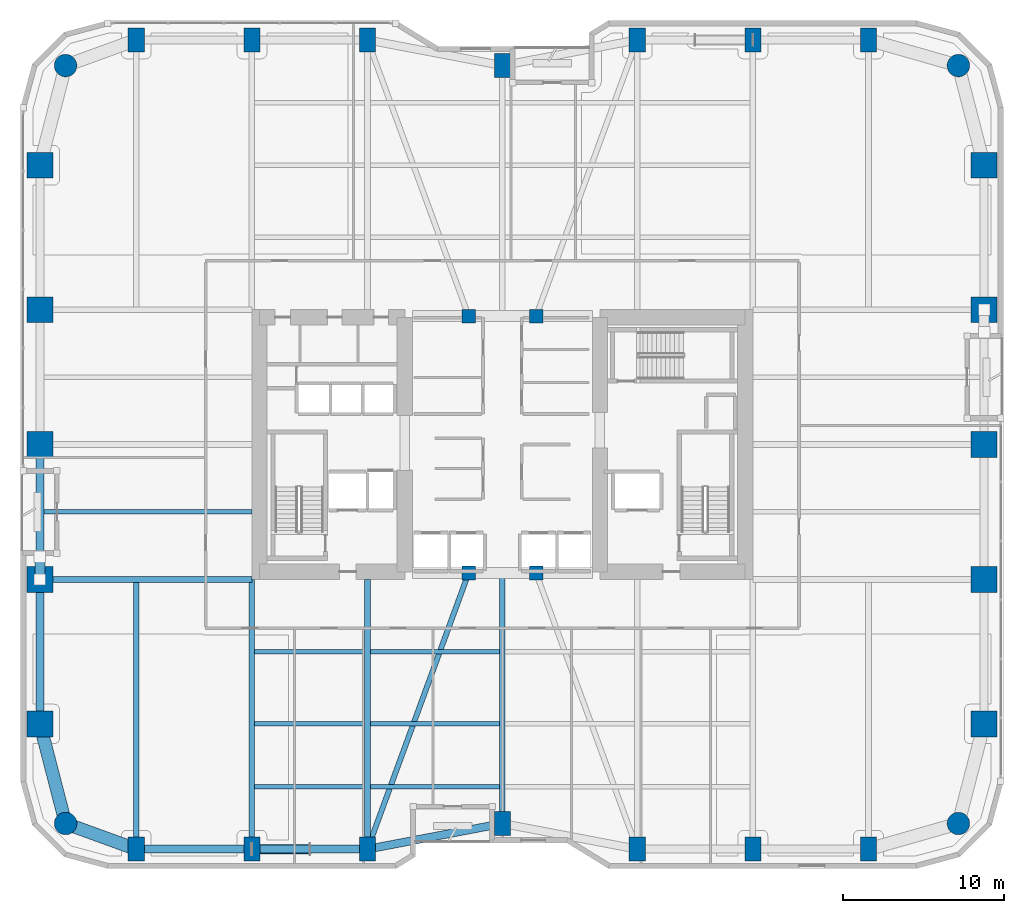
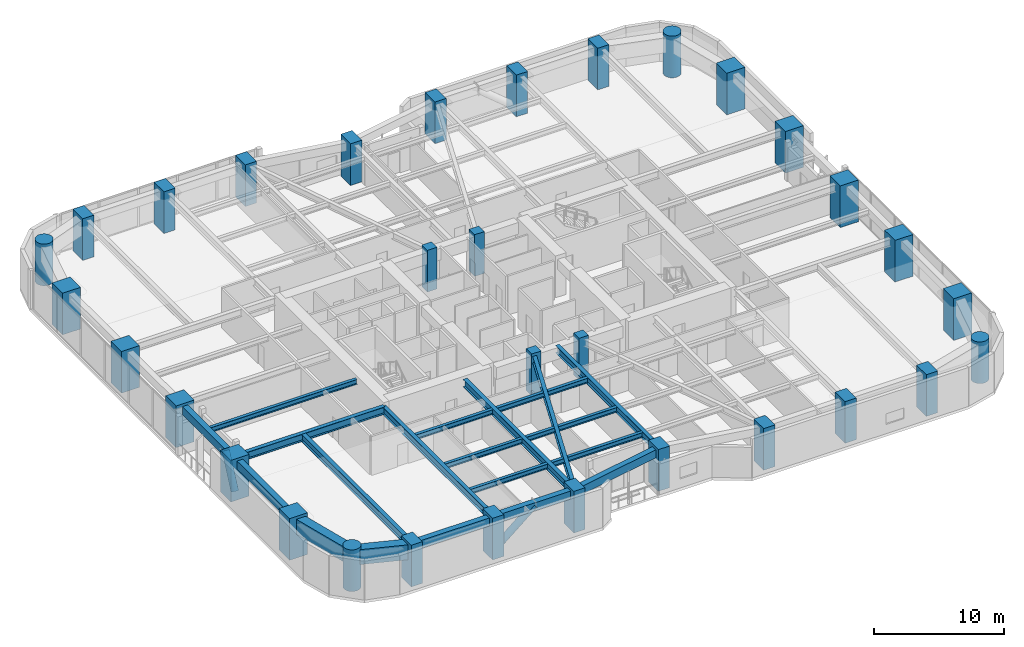
# One storey, part 1 of 28: 32 columns, 20 beams, 2 members.
"""IFC4 building model written with IfcOpenShell, lengths in metres."""

import ifcopenshell
import ifcopenshell.guid

model = None  # the IFC model being written
_history = None  # IfcOwnerHistory: only IFC2X3 demands one
_inside = {}  # id of a spatial element -> (the spatial element, [elements in it])
_under = {}  # id of a project, library or spatial element -> (it, [spatial elements below it])
_declared = {}  # id of a project -> (the project, [libraries it declares])
_typed = {}  # id of a type object -> (the type object, [elements of that type])
_made_of = {}  # id of a material, layer set ... -> (it, [elements and type objects made of it])


def new_model(schema):
    """Start an empty IFC model of exactly this schema.

    Asked for "IFC4X3", IfcOpenShell would pick the latest addendum, in which some entities
    have other attributes; the version numbers below select the first issue.
    IFC2X3 requires an IfcOwnerHistory on every rooted entity: one is made here for all.
    """
    global model, _history
    if schema == "IFC4X3":
        model = ifcopenshell.file(schema_version=(4, 3, 0, 0))
    else:
        model = ifcopenshell.file(schema=schema)
    _inside.clear()
    _under.clear()
    _declared.clear()
    _typed.clear()
    _made_of.clear()
    _history = None
    if model.schema == "IFC2X3":
        org = make("IfcOrganization", Name="unknown")
        user = make(
            "IfcPersonAndOrganization",
            ThePerson=make("IfcPerson", FamilyName="unknown"),
            TheOrganization=org,
        )
        app = make(
            "IfcApplication",
            ApplicationDeveloper=org,
            Version="unknown",
            ApplicationFullName="unknown",
            ApplicationIdentifier="unknown",
        )
        _history = make(
            "IfcOwnerHistory",
            OwningUser=user,
            OwningApplication=app,
            ChangeAction="ADDED",
            CreationDate=0,
        )
    return model


def make(cls, **values):
    """One entity of the class cls with the attributes given. An attribute that is None is left unset."""
    return model.create_entity(
        cls, **{name: value for name, value in values.items() if value is not None}
    )


def rooted(cls, **values):
    """An entity with a GlobalId (a new one), such as an element, a storey or a relation."""
    return make(cls, GlobalId=ifcopenshell.guid.new(), OwnerHistory=_history, **values)


def si_unit(unit_type, name, prefix=None):
    """IfcSIUnit, for example si_unit("LENGTHUNIT", "METRE", prefix="MILLI")."""
    return make("IfcSIUnit", UnitType=unit_type, Prefix=prefix, Name=name)


def assignment(units):
    """IfcUnitAssignment: the units of a project."""
    return None if units is None else make("IfcUnitAssignment", Units=units)


def point(xyz):
    """IfcCartesianPoint."""
    return None if xyz is None else make("IfcCartesianPoint", Coordinates=xyz)


def direction(xyz):
    """IfcDirection."""
    return None if xyz is None else make("IfcDirection", DirectionRatios=xyz)


def frame(location, z_axis=None, x_axis=None):
    """IfcAxis2Placement3D, a coordinate frame: its origin and axes. An axis left out is left unset."""
    return make(
        "IfcAxis2Placement3D",
        Location=point(location),
        Axis=direction(z_axis),
        RefDirection=direction(x_axis),
    )


def frame_2d(location, x_axis=None):
    """IfcAxis2Placement2D, a coordinate frame in the plane: its origin and x axis."""
    return make(
        "IfcAxis2Placement2D", Location=point(location), RefDirection=direction(x_axis)
    )


def origin():
    """The frame at (0, 0, 0) with its axes left unset."""
    return frame((0.0, 0.0, 0.0))


def origin_2d():
    """The frame at (0, 0) in the plane with its x axis left unset."""
    return frame_2d((0.0, 0.0))


def place(relative_to, where):
    """IfcLocalPlacement: puts the frame where relative to a parent placement (None: the world)."""
    return make(
        "IfcLocalPlacement", PlacementRelTo=relative_to, RelativePlacement=where
    )


def context(
    kind, dimensions, precision=None, world=None, true_north=None, identifier=None
):
    """IfcGeometricRepresentationContext, for example the 3D "Model" context."""
    return make(
        "IfcGeometricRepresentationContext",
        ContextIdentifier=identifier,
        ContextType=kind,
        CoordinateSpaceDimension=dimensions,
        Precision=precision,
        WorldCoordinateSystem=world,
        TrueNorth=true_north,
    )


def subcontext(parent, identifier, kind, view, scale=None):
    """IfcGeometricRepresentationSubContext, for example "Body" below "Model"."""
    return make(
        "IfcGeometricRepresentationSubContext",
        ContextIdentifier=identifier,
        ContextType=kind,
        ParentContext=parent,
        TargetScale=scale,
        TargetView=view,
    )


def project(units=None, contexts=None):
    """IfcProject with its units and contexts."""
    return rooted(
        "IfcProject",
        Name="project",
        RepresentationContexts=contexts,
        UnitsInContext=assignment(units),
    )


def spatial(cls, under=None, at=None, **own):
    """A site, building, storey or space (cls), placed at a placement, below another one or the project."""
    s = rooted(cls, ObjectPlacement=at, **own)
    if under is not None:
        _under.setdefault(under.id(), (under, []))[1].append(s)
    return s


def profile(cls, at=None, kind="AREA", **sizes):
    """A parametric profile (cls). Its sizes go by their IFC names, for example OverallWidth=200.0."""
    return make(cls, ProfileType=kind, Position=at, **sizes)


def rectangle(**sizes):
    """IfcRectangleProfileDef."""
    return profile("IfcRectangleProfileDef", **sizes)


def circle(**sizes):
    """IfcCircleProfileDef."""
    return profile("IfcCircleProfileDef", **sizes)


def hollow_circle(**sizes):
    """IfcCircleHollowProfileDef."""
    return profile("IfcCircleHollowProfileDef", **sizes)


def i_section(**sizes):
    """IfcIShapeProfileDef."""
    return profile("IfcIShapeProfileDef", **sizes)


def extrude(swept, where, along, depth):
    """IfcExtrudedAreaSolid: the profile swept, set in the frame where, extruded along a direction by depth."""
    return make(
        "IfcExtrudedAreaSolid",
        SweptArea=swept,
        Position=where,
        ExtrudedDirection=direction(along),
        Depth=depth,
    )


def shape(context_of_items, identifier, shape_type, items):
    """IfcShapeRepresentation: the items that make up one representation, for example the "Body"."""
    return make(
        "IfcShapeRepresentation",
        ContextOfItems=context_of_items,
        RepresentationIdentifier=identifier,
        RepresentationType=shape_type,
        Items=items,
    )


def material(Name=None, Category=None):
    """IfcMaterial."""
    return make("IfcMaterial", Name=Name, Category=Category)


def material_profile(
    of_material, cross_section, Name=None, Category=None, Priority=None
):
    """IfcMaterialProfile: a cross section and its material."""
    return make(
        "IfcMaterialProfile",
        Name=Name,
        Material=of_material,
        Profile=cross_section,
        Priority=Priority,
        Category=Category,
    )


def profile_set(profiles, Name=None, composite=None):
    """IfcMaterialProfileSet."""
    return make(
        "IfcMaterialProfileSet",
        Name=Name,
        MaterialProfiles=profiles,
        CompositeProfile=composite,
    )


def made_of(thing, what):
    """Note that an element or type object is made of a material, layer set ...; save() writes the relation."""
    if what is not None:
        _made_of.setdefault(what.id(), (what, []))[1].append(thing)
    return thing


def type_object(cls, material=None, **own):
    """A type object (cls), such as IfcWallType, which elements share."""
    return made_of(rooted(cls, **own), material)


def element(
    cls,
    number,
    at=None,
    inside=None,
    cuts=None,
    type_object=None,
    material=None,
    context=None,
    identifier="Body",
    shape_type=None,
    held_by="IfcProductDefinitionShape",
    body=None,
    shapes=None,
    **own,
):
    """One element of the class cls, such as IfcWall. Its Tag is "e" and its number.

    at: its placement. inside: the storey or other place that contains it. cuts: it is an
    opening in that element (IfcRelVoidsElement). A single representation is given by context,
    identifier, shape_type and body (its items); several are given by shapes. held_by: the class
    of the entity that holds the representations. save() writes the other relations.
    """
    e = rooted(cls, Tag="e%d" % number, ObjectPlacement=at, **own)
    if body is not None:
        shapes = [shape(context, identifier, shape_type, body)]
    if shapes is not None:
        e.Representation = make(held_by, Representations=shapes)
    if inside is not None:
        _inside.setdefault(inside.id(), (inside, []))[1].append(e)
    if cuts is not None:
        rooted(
            "IfcRelVoidsElement", RelatingBuildingElement=cuts, RelatedOpeningElement=e
        )
    if type_object is not None:
        _typed.setdefault(type_object.id(), (type_object, []))[1].append(e)
    return made_of(e, material)


def aggregate(whole, parts):
    """IfcRelAggregates: a whole, such as a stair, and the parts it consists of."""
    return rooted("IfcRelAggregates", RelatingObject=whole, RelatedObjects=parts)


def save(model, path):
    """Write the relations noted so far, then the file.

    IfcRelAggregates (storeys below a building ...), IfcRelContainedInSpatialStructure (elements
    in a storey), IfcRelDefinesByType, IfcRelAssociatesMaterial and IfcRelDeclares: one each for
    every whole, place, type object, material and project.
    """
    for whole, parts in _under.values():
        aggregate(whole, parts)
    for where, things in _inside.values():
        rooted(
            "IfcRelContainedInSpatialStructure",
            RelatedElements=things,
            RelatingStructure=where,
        )
    for kind, things in _typed.values():
        rooted("IfcRelDefinesByType", RelatedObjects=things, RelatingType=kind)
    for what, things in _made_of.values():
        rooted("IfcRelAssociatesMaterial", RelatedObjects=things, RelatingMaterial=what)
    for by, libraries in _declared.values():
        rooted("IfcRelDeclares", RelatingContext=by, RelatedDefinitions=libraries)
    model.write(path)


model = new_model("IFC4")

# Units and contexts
model_context = context("Model", 3, precision=1e-05, world=origin(), true_north=direction((0.0, 1.0)))
body_context = subcontext(model_context, "Body", "Model", "MODEL_VIEW")
ifc_project = project(units=[si_unit("LENGTHUNIT", "METRE"), si_unit("AREAUNIT", "SQUARE_METRE"), si_unit("VOLUMEUNIT", "CUBIC_METRE"), si_unit("PLANEANGLEUNIT", "RADIAN"), si_unit("MASSUNIT", "GRAM", prefix="KILO")], contexts=[model_context])

# Site, building, storey
site_placement = place(None, origin())
site = spatial("IfcSite", under=ifc_project, at=site_placement, CompositionType="ELEMENT")
building_placement = place(site_placement, origin())
building = spatial("IfcBuilding", under=site, at=building_placement, Name="Kiyonajd Concourse Tower", CompositionType="ELEMENT")
storey_placement = place(building_placement, frame((0.0, 0.0, 56.699951171875)))
storey = spatial("IfcBuildingStorey", under=building, at=storey_placement, Name="L15", CompositionType="ELEMENT", Elevation=56.699951171875)

# Columns
ifc_material_1 = material(Name="Concrete C80/95", Category="concrete")
ifc_material_profile_1 = material_profile(ifc_material_1, rectangle(XDim=1.0, YDim=1.5, at=origin_2d()), Name="RC-1500x1000")
ifc_profile_set_1 = profile_set([ifc_material_profile_1], Name="Concrete C80/95")
column_type_1 = type_object("IfcColumnType", Name="CL-BLADE-1500", PredefinedType="COLUMN", material=ifc_profile_set_1)
for number, where, z_axis, x_axis, name in (
    (1, (25.199951171875, 10.800048828125, 0.0), (0.0, 0.0, 1.0), (1.0, 0.0, 0.0), "L15 Perimeter Bundled Tube Column"),
    (2, (25.199951171875, 61.199951171875, 0.0), (0.0, 0.0, 1.0), (1.0, 0.0, 0.0), "L15 Perimeter Bundled Tube Column"),
    (3, (32.39990234375, 10.800048828125, 0.0), (0.0, 0.0, 1.0), (1.0, 0.0, 0.0), "L15 Perimeter Bundled Tube Column"),
    (4, (32.39990234375, 61.199951171875, 0.0), (0.0, 0.0, 1.0), (1.0, 0.0, 0.0), "L15 Perimeter Bundled Tube Column"),
    (5, (39.60009765625, 10.800048828125, 0.0), (0.0, 0.0, 1.0), (1.0, 0.0, 0.0), "L15 Perimeter Bundled Tube Column"),
    (6, (39.60009765625, 61.199951171875, 0.0), (0.0, 0.0, 1.0), (1.0, 0.0, 0.0), "L15 Perimeter Bundled Tube Column"),
    (7, (48.0, 12.39990234375, 0.0), (0.0, 0.0, 1.0), (1.0, 0.0, 0.0), "L15 Perimeter Bundled Tube Column"),
    (8, (48.0, 59.60009765625, 0.0), (0.0, 0.0, 1.0), (1.0, 0.0, 0.0), "L15 Perimeter Bundled Tube Column"),
    (9, (56.39990234375, 10.800048828125, 0.0), (0.0, 0.0, 1.0), (1.0, 0.0, 0.0), "L15 Perimeter Bundled Tube Column"),
    (10, (56.39990234375, 61.199951171875, 0.0), (0.0, 0.0, 1.0), (1.0, 0.0, 0.0), "L15 Perimeter Bundled Tube Column"),
    (11, (63.60009765625, 10.800048828125, 0.0), (0.0, 0.0, 1.0), (1.0, 0.0, 0.0), "L15 Perimeter Bundled Tube Column"),
    (12, (63.60009765625, 61.199951171875, 0.0), (0.0, 0.0, 1.0), (1.0, 0.0, 0.0), "L15 Perimeter Bundled Tube Column"),
    (13, (70.800048828125, 10.800048828125, 0.0), (0.0, 0.0, 1.0), (1.0, 0.0, 0.0), "L15 Perimeter Bundled Tube Column"),
    (14, (70.800048828125, 61.199951171875, 0.0), (0.0, 0.0, 1.0), (1.0, 0.0, 0.0), "L15 Perimeter Bundled Tube Column"),
):
    element("IfcColumn", number, at=place(storey_placement, frame(where, z_axis=z_axis, x_axis=x_axis)), inside=storey, type_object=column_type_1, Name=name, PredefinedType="COLUMN", context=body_context, shape_type="SweptSolid", body=[
        extrude(rectangle(XDim=1.0, YDim=1.5, at=origin_2d()), origin(), (0.0, 0.0, 1.0), 3.900146484375),
    ])
ifc_material_profile_2 = material_profile(ifc_material_1, circle(Radius=0.699951171875, at=origin_2d()), Name="RCC-D1400")
ifc_profile_set_2 = profile_set([ifc_material_profile_2], Name="Concrete C80/95")
column_type_2 = type_object("IfcColumnType", Name="CL-RND-1400", PredefinedType="COLUMN", material=ifc_profile_set_2)
for number, where, z_axis, x_axis, name in (
    (15, (20.800048828125, 12.39990234375, 0.0), (0.0, 0.0, 1.0), (1.0, 0.0, 0.0), "L15 Bundled Tube Corner Column South West"),
    (16, (76.39990234375, 12.39990234375, 0.0), (0.0, 0.0, 1.0), (1.0, 0.0, 0.0), "L15 Bundled Tube Corner Column South East"),
    (17, (76.39990234375, 59.60009765625, 0.0), (0.0, 0.0, 1.0), (1.0, 0.0, 0.0), "L15 Bundled Tube Corner Column North East"),
    (18, (20.800048828125, 59.60009765625, 0.0), (0.0, 0.0, 1.0), (1.0, 0.0, 0.0), "L15 Bundled Tube Corner Column North West"),
):
    element("IfcColumn", number, at=place(storey_placement, frame(where, z_axis=z_axis, x_axis=x_axis)), inside=storey, type_object=column_type_2, Name=name, PredefinedType="COLUMN", context=body_context, shape_type="SweptSolid", body=[
        extrude(circle(Radius=0.699951171875, at=origin_2d()), origin(), (0.0, 0.0, 1.0), 3.900146484375),
    ])
ifc_material_profile_3 = material_profile(ifc_material_1, rectangle(XDim=1.60009765625, YDim=1.60009765625, at=origin_2d()), Name="RC-1600x1600")
ifc_profile_set_3 = profile_set([ifc_material_profile_3], Name="Concrete C80/95")
column_type_3 = type_object("IfcColumnType", Name="CL-TUBE-1600", PredefinedType="COLUMN", material=ifc_profile_set_3)
for number, where, z_axis, x_axis, name in (
    (19, (19.199951171875, 18.60009765625, 0.0), (0.0, 0.0, 1.0), (1.0, 0.0, 0.0), "L15 Perimeter Bundled Tube Column"),
    (20, (78.0, 18.60009765625, 0.0), (0.0, 0.0, 1.0), (1.0, 0.0, 0.0), "L15 Perimeter Bundled Tube Column"),
    (21, (19.199951171875, 27.60009765625, 0.0), (0.0, 0.0, 1.0), (1.0, 0.0, 0.0), "L15 Perimeter Bundled Tube Column"),
    (22, (78.0, 27.60009765625, 0.0), (0.0, 0.0, 1.0), (1.0, 0.0, 0.0), "L15 Perimeter Bundled Tube Column"),
    (23, (19.199951171875, 36.0, 0.0), (0.0, 0.0, 1.0), (1.0, 0.0, 0.0), "L15 Perimeter Bundled Tube Column"),
    (24, (78.0, 36.0, 0.0), (0.0, 0.0, 1.0), (1.0, 0.0, 0.0), "L15 Perimeter Bundled Tube Column"),
    (25, (19.199951171875, 44.39990234375, 0.0), (0.0, 0.0, 1.0), (1.0, 0.0, 0.0), "L15 Perimeter Bundled Tube Column"),
    (26, (78.0, 44.39990234375, 0.0), (0.0, 0.0, 1.0), (1.0, 0.0, 0.0), "L15 Perimeter Bundled Tube Column"),
    (27, (19.199951171875, 53.39990234375, 0.0), (0.0, 0.0, 1.0), (1.0, 0.0, 0.0), "L15 Perimeter Bundled Tube Column"),
    (28, (78.0, 53.39990234375, 0.0), (0.0, 0.0, 1.0), (1.0, 0.0, 0.0), "L15 Perimeter Bundled Tube Column"),
):
    element("IfcColumn", number, at=place(storey_placement, frame(where, z_axis=z_axis, x_axis=x_axis)), inside=storey, type_object=column_type_3, Name=name, PredefinedType="COLUMN", context=body_context, shape_type="SweptSolid", body=[
        extrude(rectangle(XDim=1.60009765625, YDim=1.60009765625, at=origin_2d()), origin(), (0.0, 0.0, 1.0), 3.900146484375),
    ])
ifc_material_2 = material(Name="Concrete C60/75", Category="concrete")
ifc_material_profile_4 = material_profile(ifc_material_2, rectangle(XDim=0.85009765625, YDim=0.85009765625, at=origin_2d()), Name="RC-850x850")
ifc_profile_set_4 = profile_set([ifc_material_profile_4], Name="Concrete C60/75")
column_type_4 = type_object("IfcColumnType", Name="CL-TUBE-850", PredefinedType="COLUMN", material=ifc_profile_set_4)
for number, where, z_axis, x_axis, name in (
    (29, (45.89990234375, 28.0, 0.0), (0.0, 0.0, 1.0), (1.0, 0.0, 0.0), "L15 Core Tie Column South West"),
    (30, (50.10009765625, 28.0, 0.0), (0.0, 0.0, 1.0), (1.0, 0.0, 0.0), "L15 Core Tie Column South East"),
    (31, (45.89990234375, 44.0, 0.0), (0.0, 0.0, 1.0), (1.0, 0.0, 0.0), "L15 Core Tie Column North West"),
    (32, (50.10009765625, 44.0, 0.0), (0.0, 0.0, 1.0), (1.0, 0.0, 0.0), "L15 Core Tie Column North East"),
):
    element("IfcColumn", number, at=place(storey_placement, frame(where, z_axis=z_axis, x_axis=x_axis)), inside=storey, type_object=column_type_4, Name=name, PredefinedType="COLUMN", context=body_context, shape_type="SweptSolid", body=[
        extrude(rectangle(XDim=0.85009765625, YDim=0.85009765625, at=origin_2d()), origin(), (0.0, 0.0, 1.0), 3.900146484375),
    ])

# Beams
ifc_material_3 = material(Name="Steel ASTM A992 Grade 50", Category="steel")
ifc_material_profile_5 = material_profile(ifc_material_3, i_section(OverallWidth=0.280029296875, OverallDepth=0.462890625, WebThickness=0.0107421875, FlangeThickness=0.017333984375, at=origin_2d()), Name="W460X113")
ifc_profile_set_5 = profile_set([ifc_material_profile_5], Name="Steel ASTM A992 Grade 50")
beam_type_1 = type_object("IfcBeamType", Name="BM-JST-460A", PredefinedType="JOIST", material=ifc_profile_set_5)
beam_1_placement = place(storey_placement, frame((32.577392578125, 14.699951171875, 3.408447265625), z_axis=(1.0, 0.0, 0.0), x_axis=(0.0, 1.0, 0.0)))
element("IfcBeam", 33, at=beam_1_placement, inside=storey, type_object=beam_type_1, Name="L15 Secondary Floor Joist", PredefinedType="JOIST", context=body_context, shape_type="SweptSolid", body=[
    extrude(i_section(OverallWidth=0.280029296875, OverallDepth=0.462890625, WebThickness=0.0107421875, FlangeThickness=0.017333984375, at=origin_2d()), origin(), (0.0, 0.0, 1.0), 6.84521484375),
])
beam_2_placement = place(storey_placement, frame((39.777587890625, 14.699951171875, 3.408447265625), z_axis=(1.0, 0.0, 0.0), x_axis=(0.0, 1.0, 0.0)))
element("IfcBeam", 34, at=beam_2_placement, inside=storey, type_object=beam_type_1, Name="L15 Secondary Floor Joist", PredefinedType="JOIST", context=body_context, shape_type="SweptSolid", body=[
    extrude(i_section(OverallWidth=0.280029296875, OverallDepth=0.462890625, WebThickness=0.0107421875, FlangeThickness=0.017333984375, at=origin_2d()), origin(), (0.0, 0.0, 1.0), 8.044921875),
])
beam_3_placement = place(storey_placement, frame((32.577392578125, 18.60009765625, 3.408447265625), z_axis=(1.0, 0.0, 0.0), x_axis=(0.0, 1.0, 0.0)))
element("IfcBeam", 35, at=beam_3_placement, inside=storey, type_object=beam_type_1, Name="L15 Secondary Floor Joist", PredefinedType="JOIST", context=body_context, shape_type="SweptSolid", body=[
    extrude(i_section(OverallWidth=0.280029296875, OverallDepth=0.462890625, WebThickness=0.0107421875, FlangeThickness=0.017333984375, at=origin_2d()), origin(), (0.0, 0.0, 1.0), 6.84521484375),
])
beam_4_placement = place(storey_placement, frame((39.777587890625, 18.60009765625, 3.408447265625), z_axis=(1.0, 0.0, 0.0), x_axis=(0.0, 1.0, 0.0)))
element("IfcBeam", 36, at=beam_4_placement, inside=storey, type_object=beam_type_1, Name="L15 Secondary Floor Joist", PredefinedType="JOIST", context=body_context, shape_type="SweptSolid", body=[
    extrude(i_section(OverallWidth=0.280029296875, OverallDepth=0.462890625, WebThickness=0.0107421875, FlangeThickness=0.017333984375, at=origin_2d()), origin(), (0.0, 0.0, 1.0), 8.044921875),
])
beam_5_placement = place(storey_placement, frame((32.577392578125, 23.10009765625, 3.408447265625), z_axis=(1.0, 0.0, 0.0), x_axis=(0.0, 1.0, 0.0)))
element("IfcBeam", 37, at=beam_5_placement, inside=storey, type_object=beam_type_1, Name="L15 Secondary Floor Joist", PredefinedType="JOIST", context=body_context, shape_type="SweptSolid", body=[
    extrude(i_section(OverallWidth=0.280029296875, OverallDepth=0.462890625, WebThickness=0.0107421875, FlangeThickness=0.017333984375, at=origin_2d()), origin(), (0.0, 0.0, 1.0), 6.84521484375),
])
beam_6_placement = place(storey_placement, frame((39.777587890625, 23.10009765625, 3.408447265625), z_axis=(1.0, 0.0, 0.0), x_axis=(0.0, 1.0, 0.0)))
element("IfcBeam", 38, at=beam_6_placement, inside=storey, type_object=beam_type_1, Name="L15 Secondary Floor Joist", PredefinedType="JOIST", context=body_context, shape_type="SweptSolid", body=[
    extrude(i_section(OverallWidth=0.280029296875, OverallDepth=0.462890625, WebThickness=0.0107421875, FlangeThickness=0.017333984375, at=origin_2d()), origin(), (0.0, 0.0, 1.0), 8.044921875),
])
beam_7_placement = place(storey_placement, frame((19.449951171875, 31.800048828125, 3.408447265625), z_axis=(1.0, 0.0, 0.0), x_axis=(0.0, 1.0, 0.0)))
element("IfcBeam", 39, at=beam_7_placement, inside=storey, type_object=beam_type_1, Name="L15 West Secondary Floor Joist", PredefinedType="JOIST", context=body_context, shape_type="SweptSolid", body=[
    extrude(i_section(OverallWidth=0.280029296875, OverallDepth=0.462890625, WebThickness=0.0107421875, FlangeThickness=0.017333984375, at=origin_2d()), origin(), (0.0, 0.0, 1.0), 12.949951171875),
])
ifc_material_4 = material(Name="Precast concrete C50/60", Category="concrete")
ifc_material_profile_6 = material_profile(ifc_material_4, rectangle(XDim=0.5, YDim=0.75, at=origin_2d()), Name="RCBM-500x750")
ifc_profile_set_6 = profile_set([ifc_material_profile_6], Name="Precast concrete C50/60")
beam_type_2 = type_object("IfcBeamType", Name="BM-SPAN-RC", PredefinedType="SPANDREL", material=ifc_profile_set_6)
beam_8_placement = place(storey_placement, frame((19.199951171875, 27.60009765625, 3.26513671875), z_axis=(0.0, -1.0, 0.0), x_axis=(1.0, 0.0, 0.0)))
element("IfcBeam", 40, at=beam_8_placement, inside=storey, type_object=beam_type_2, Name="L15 Perimeter Bundled Tube Spandrel", PredefinedType="SPANDREL", context=body_context, shape_type="SweptSolid", body=[
    extrude(rectangle(XDim=0.5, YDim=0.75, at=origin_2d()), origin(), (0.0, 0.0, 1.0), 9.0),
])
beam_9_placement = place(storey_placement, frame((25.199951171875, 10.800048828125, 3.26513671875), z_axis=(1.0, 0.0, 0.0), x_axis=(0.0, 1.0, 0.0)))
element("IfcBeam", 41, at=beam_9_placement, inside=storey, type_object=beam_type_2, Name="L15 Perimeter Bundled Tube Spandrel", PredefinedType="SPANDREL", context=body_context, shape_type="SweptSolid", body=[
    extrude(rectangle(XDim=0.5, YDim=0.75, at=origin_2d()), origin(), (0.0, 0.0, 1.0), 7.199951171875),
])
beam_10_placement = place(storey_placement, frame((32.39990234375, 10.800048828125, 3.26513671875), z_axis=(1.0, 0.0, 0.0), x_axis=(0.0, 1.0, 0.0)))
element("IfcBeam", 42, at=beam_10_placement, inside=storey, type_object=beam_type_2, Name="L15 Perimeter Bundled Tube Spandrel", PredefinedType="SPANDREL", context=body_context, shape_type="SweptSolid", body=[
    extrude(rectangle(XDim=0.5, YDim=0.75, at=origin_2d()), origin(), (0.0, 0.0, 1.0), 7.2001953125),
])
beam_11_placement = place(storey_placement, frame((39.60009765625, 10.800048828125, 3.26513671875), z_axis=(0.982341315253, 0.187097675953, 0.0), x_axis=(-0.187097675953, 0.982341315253, 0.0)))
element("IfcBeam", 43, at=beam_11_placement, inside=storey, type_object=beam_type_2, Name="L15 Perimeter Bundled Tube Spandrel", PredefinedType="SPANDREL", context=body_context, shape_type="SweptSolid", body=[
    extrude(rectangle(XDim=0.5, YDim=0.75, at=origin_2d()), origin(), (0.0, 0.0, 1.0), 8.55078125),
])
beam_12_placement = place(storey_placement, frame((19.199951171875, 36.0, 3.26513671875), z_axis=(0.0, -1.0, 0.0), x_axis=(1.0, 0.0, 0.0)))
element("IfcBeam", 44, at=beam_12_placement, inside=storey, type_object=beam_type_2, Name="L15 Perimeter Bundled Tube Spandrel", PredefinedType="SPANDREL", context=body_context, shape_type="SweptSolid", body=[
    extrude(rectangle(XDim=0.5, YDim=0.75, at=origin_2d()), origin(), (0.0, 0.0, 1.0), 8.39990234375),
])
ifc_material_profile_7 = material_profile(ifc_material_3, i_section(OverallWidth=0.326904296875, OverallDepth=0.6220703125, WebThickness=0.015380859375, FlangeThickness=0.0244140625, at=origin_2d()), Name="W610X195")
ifc_profile_set_7 = profile_set([ifc_material_profile_7], Name="Steel ASTM A992 Grade 50")
beam_type_3 = type_object("IfcBeamType", Name="BM-TWR-610A", PredefinedType="BEAM", material=ifc_profile_set_7)
beam_13_placement = place(storey_placement, frame((39.60009765625, 10.800048828125, 3.3291015625), z_axis=(0.343925269715, 0.938997022813, 0.0), x_axis=(-0.938997022813, 0.343925269715, 0.0)))
element("IfcBeam", 45, at=beam_13_placement, inside=storey, type_object=beam_type_3, Name="L15 Core Tie Girder", PredefinedType="BEAM", context=body_context, shape_type="SweptSolid", body=[
    extrude(i_section(OverallWidth=0.326904296875, OverallDepth=0.6220703125, WebThickness=0.015380859375, FlangeThickness=0.0244140625, at=origin_2d()), origin(), (0.0, 0.0, 1.0), 18.3173828125),
])
ifc_material_profile_8 = material_profile(ifc_material_3, i_section(OverallWidth=0.35498046875, OverallDepth=0.695068359375, WebThickness=0.015380859375, FlangeThickness=0.02490234375, at=origin_2d()), Name="W690X217")
ifc_profile_set_8 = profile_set([ifc_material_profile_8], Name="Steel ASTM A992 Grade 50")
beam_type_4 = type_object("IfcBeamType", Name="BM-TWR-690", PredefinedType="BEAM", material=ifc_profile_set_8)
for number, where, z_axis, x_axis, name in (
    (46, (25.199951171875, 10.800048828125, 3.29248046875), (0.0, 1.0, 0.0), (-1.0, 0.0, 0.0), "L15 South Lease Girder"),
    (47, (32.39990234375, 10.800048828125, 3.29248046875), (0.0, 1.0, 0.0), (-1.0, 0.0, 0.0), "L15 South Lease Girder"),
    (48, (39.60009765625, 10.800048828125, 3.29248046875), (0.0, 1.0, 0.0), (-1.0, 0.0, 0.0), "L15 South Lease Girder"),
):
    element("IfcBeam", number, at=place(storey_placement, frame(where, z_axis=z_axis, x_axis=x_axis)), inside=storey, type_object=beam_type_4, Name=name, PredefinedType="BEAM", context=body_context, shape_type="SweptSolid", body=[
        extrude(i_section(OverallWidth=0.35498046875, OverallDepth=0.695068359375, WebThickness=0.015380859375, FlangeThickness=0.02490234375, at=origin_2d()), origin(), (0.0, 0.0, 1.0), 16.800048828125),
    ])
beam_14_placement = place(storey_placement, frame((48.0, 12.39990234375, 3.29248046875), z_axis=(0.0, 1.0, 0.0), x_axis=(-1.0, 0.0, 0.0)))
element("IfcBeam", 49, at=beam_14_placement, inside=storey, type_object=beam_type_4, Name="L15 South Ribbon Girder", PredefinedType="BEAM", context=body_context, shape_type="SweptSolid", body=[
    extrude(i_section(OverallWidth=0.35498046875, OverallDepth=0.695068359375, WebThickness=0.015380859375, FlangeThickness=0.02490234375, at=origin_2d()), origin(), (0.0, 0.0, 1.0), 15.60009765625),
])
beam_15_placement = place(storey_placement, frame((19.199951171875, 27.60009765625, 3.29248046875), z_axis=(1.0, 0.0, 0.0), x_axis=(0.0, 1.0, 0.0)))
element("IfcBeam", 50, at=beam_15_placement, inside=storey, type_object=beam_type_4, Name="L15 West Lease Girder", PredefinedType="BEAM", context=body_context, shape_type="SweptSolid", body=[
    extrude(i_section(OverallWidth=0.35498046875, OverallDepth=0.695068359375, WebThickness=0.015380859375, FlangeThickness=0.02490234375, at=origin_2d()), origin(), (0.0, 0.0, 1.0), 13.199951171875),
])
ifc_material_profile_9 = material_profile(ifc_material_2, rectangle(XDim=0.800048828125, YDim=1.39990234375, at=origin_2d()), Name="RCBM-800x1400")
ifc_profile_set_9 = profile_set([ifc_material_profile_9], Name="Concrete C60/75")
beam_type_5 = type_object("IfcBeamType", Name="BM-XFER-RC", PredefinedType="BEAM", material=ifc_profile_set_9)
beam_16_placement = place(storey_placement, frame((19.199951171875, 18.60009765625, 2.93994140625), z_axis=(0.249884937687, -0.968275538221, 0.0), x_axis=(0.968275538221, 0.249884937687, 0.0)))
element("IfcBeam", 51, at=beam_16_placement, inside=storey, type_object=beam_type_5, Name="L15 Perimeter Bundled Tube Spandrel", PredefinedType="BEAM", context=body_context, shape_type="SweptSolid", body=[
    extrude(rectangle(XDim=0.800048828125, YDim=1.39990234375, at=origin_2d()), origin(), (0.0, 0.0, 1.0), 6.4033203125),
])
beam_17_placement = place(storey_placement, frame((20.800048828125, 12.39990234375, 2.93994140625), z_axis=(0.939801036019, -0.341722127901, 0.0), x_axis=(0.341722127901, 0.939801036019, 0.0)))
element("IfcBeam", 52, at=beam_17_placement, inside=storey, type_object=beam_type_5, Name="L15 Perimeter Bundled Tube Spandrel", PredefinedType="BEAM", context=body_context, shape_type="SweptSolid", body=[
    extrude(rectangle(XDim=0.800048828125, YDim=1.39990234375, at=origin_2d()), origin(), (0.0, 0.0, 1.0), 4.681640625),
])

# Members
ifc_material_5 = material(Name="Steel ASTM A572 Grade 50", Category="steel")
ifc_material_profile_10 = material_profile(ifc_material_5, hollow_circle(Radius=0.304931640625, WallThickness=0.02490234375, at=origin_2d()), Name="CHS-610x25")
ifc_profile_set_10 = profile_set([ifc_material_profile_10], Name="Steel ASTM A572 Grade 50")
member_type = type_object("IfcMemberType", Name="MB-PB-LOW", PredefinedType="BRACE", material=ifc_profile_set_10)
member_1_placement = place(storey_placement, frame((32.39990234375, 10.800048828125, 0.300048828125), z_axis=(0.769280705518, 0.0, 0.638910945373), x_axis=(0.0, 1.0, 0.0)))
element("IfcMember", 53, at=member_1_placement, inside=storey, type_object=member_type, Name="L15 Lower Zone Welded Tube Brace PBS", PredefinedType="BRACE", context=body_context, shape_type="SweptSolid", body=[
    extrude(hollow_circle(Radius=0.304931640625, WallThickness=0.02490234375, at=origin_2d()), origin(), (0.0, 0.0, 1.0), 4.679931640625),
])
member_2_placement = place(storey_placement, frame((19.199951171875, 27.60009765625, 0.300048828125), z_axis=(0.0, 0.424022702926, 0.905651559598), x_axis=(-1.0, 0.0, 0.0)))
element("IfcMember", 54, at=member_2_placement, inside=storey, type_object=member_type, Name="L15 Lower Zone Welded Tube Brace PBW", PredefinedType="BRACE", context=body_context, shape_type="SweptSolid", body=[
    extrude(hollow_circle(Radius=0.304931640625, WallThickness=0.02490234375, at=origin_2d()), origin(), (0.0, 0.0, 1.0), 3.301513671875),
])

save(model, "model.ifc")
